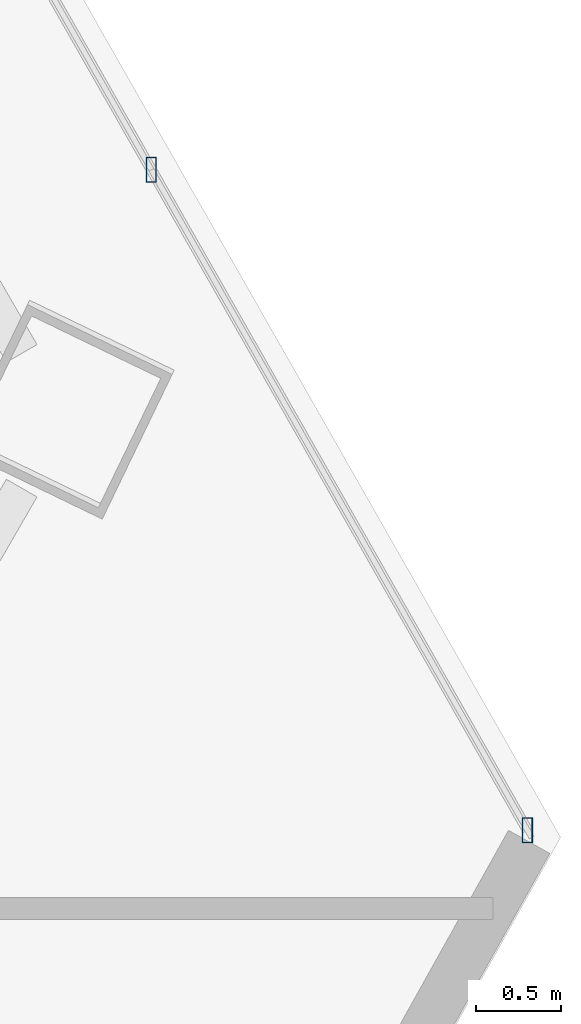
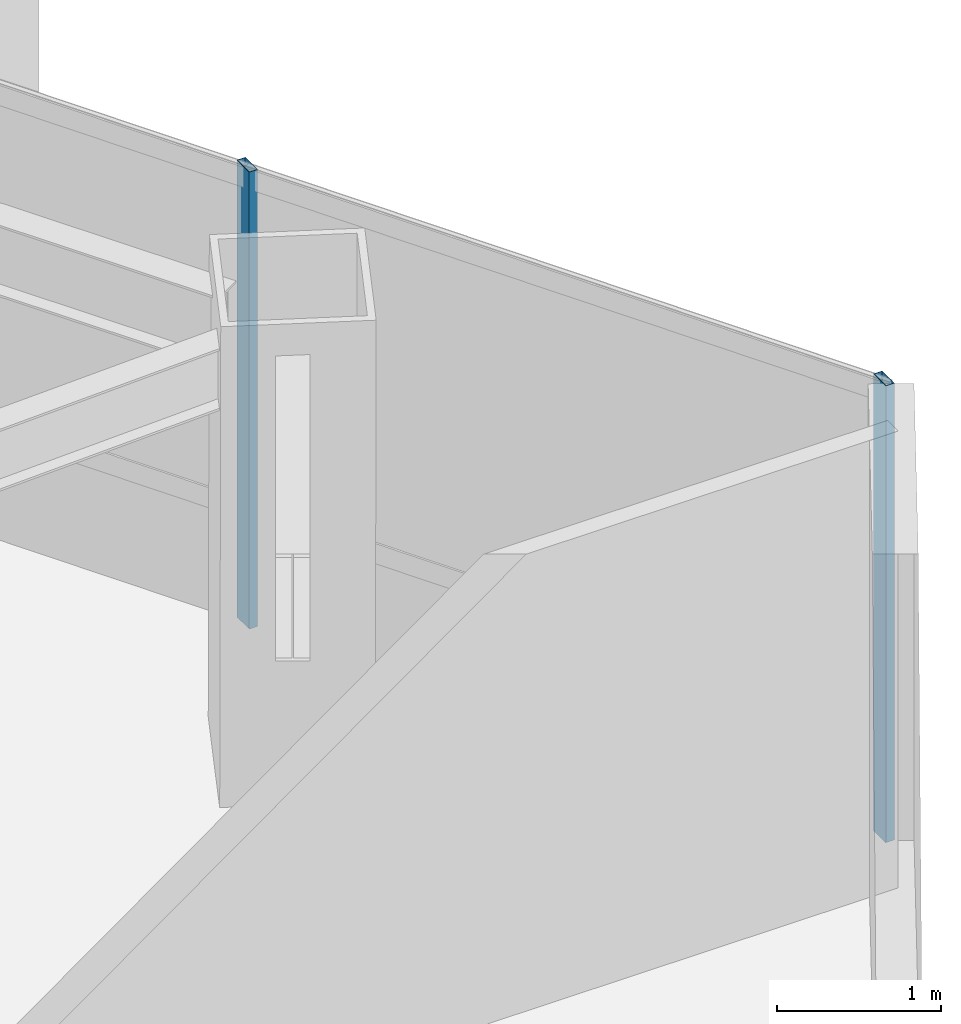
# One storey, part 21 of 38: 2 members, 1 element without a shape of its own.
"""IFC4 building model written with IfcOpenShell, lengths in metres."""

from ifc_helpers import new_model, si_unit, direction, frame, origin, origin_2d, place, context, subcontext, project, spatial, hollow_rectangle, extrude, source, transform, mapped, material, material_profile, profile_set, type_object, type_shapes, element, aggregate, save


model = new_model("IFC4")

# Units and contexts
model_context = context("Model", 3, precision=1e-05, world=origin(), true_north=direction((0.0, 1.0)))
body_context = subcontext(model_context, "Body", "Model", "MODEL_VIEW")
ifc_project = project(units=[si_unit("LENGTHUNIT", "METRE"), si_unit("AREAUNIT", "SQUARE_METRE"), si_unit("VOLUMEUNIT", "CUBIC_METRE"), si_unit("PLANEANGLEUNIT", "RADIAN"), si_unit("MASSUNIT", "GRAM", prefix="KILO")], contexts=[model_context])

# Site, building, storey
site_placement = place(None, origin())
site = spatial("IfcSite", under=ifc_project, at=site_placement, CompositionType="ELEMENT")
building_placement = place(site_placement, origin())
building = spatial("IfcBuilding", under=site, at=building_placement, Name="Caelisora Broadcast Tower", CompositionType="ELEMENT")
storey_placement = place(building_placement, frame((0.0, 0.0, 154.85009765625)))
storey = spatial("IfcBuildingStorey", under=building, at=storey_placement, Name="L40", CompositionType="ELEMENT", Elevation=154.85009765625)

# Curtain wall, members
ifc_material_1 = material(Name="Unitised Aluminium and Low-E Glass Curtain Wall", Category="glass")
curtain_wall_type = type_object("IfcCurtainWallType", Name="CW-Z3", PredefinedType="NOTDEFINED", material=ifc_material_1)
curtain_wall_placement = place(storey_placement, origin())
curtain_wall = element("IfcCurtainWall", 1, at=curtain_wall_placement, inside=storey, type_object=curtain_wall_type, Name="L40 curtain wall CW-Z3", PredefinedType="NOTDEFINED")
ifc_material_2 = material(Name="Aluminium 6063-T6 Anodised Terracotta Bronze", Category="aluminium")
ifc_material_profile = material_profile(ifc_material_2, hollow_rectangle(XDim=0.06005859375, YDim=0.14990234375, WallThickness=0.00341796875, at=origin_2d()), Name="Aluminium 6063-T6 Anodised Terracotta Bronze")
ifc_profile_set = profile_set([ifc_material_profile], Name="Aluminium 6063-T6 Anodised Terracotta Bronze")
member_type = type_object("IfcMemberType", Name="CWM-03", PredefinedType="MULLION", material=ifc_profile_set)
shared_shape = source(origin(), body_context, "Body", "SweptSolid", [
    extrude(hollow_rectangle(XDim=0.06005859375, YDim=0.14990234375, WallThickness=0.00341796875, at=origin_2d()), origin(), (0.0, 0.0, 1.0), 3.39990234375),
])
type_shapes(member_type, [shared_shape])
member_1_placement = place(storey_placement, frame((61.1171875, 19.589599609375, 0.0), z_axis=(0.0, 0.0, 1.0), x_axis=(1.0, 0.0, 0.0)))
member_1 = element("IfcMember", 2, at=member_1_placement, type_object=member_type, Name="L40-CW-B03 mullion #2", PredefinedType="MULLION", context=body_context, shape_type="MappedRepresentation", body=[
    mapped(shared_shape, transform((0.0, 0.0, 0.0), scale=1.0)),
])
member_2_placement = place(storey_placement, frame((63.34228515625, 15.682373046875, 0.0), z_axis=(0.0, 0.0, 1.0), x_axis=(1.0, 0.0, 0.0)))
member_2 = element("IfcMember", 3, at=member_2_placement, type_object=member_type, Name="L40-CW-B03 mullion #3", PredefinedType="MULLION", context=body_context, shape_type="MappedRepresentation", body=[
    mapped(shared_shape, transform((0.0, 0.0, 0.0), scale=1.0)),
])
aggregate(curtain_wall, [member_1, member_2])

save(model, "model.ifc")
